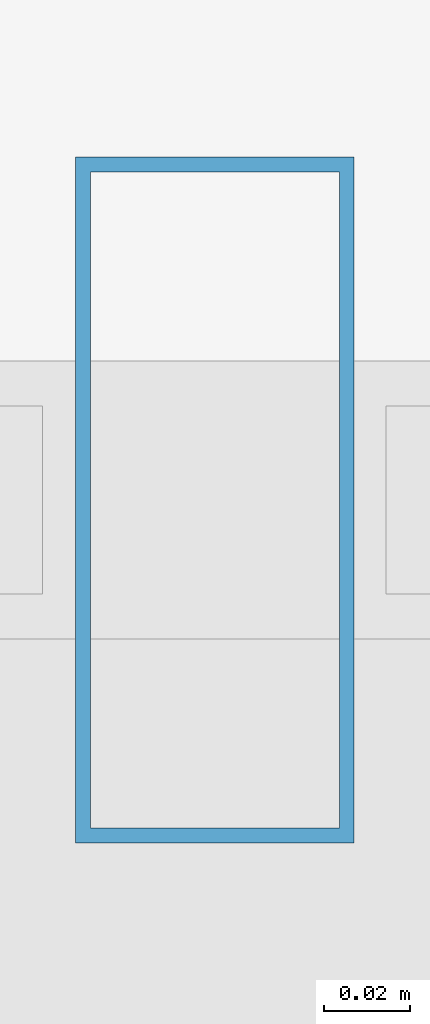
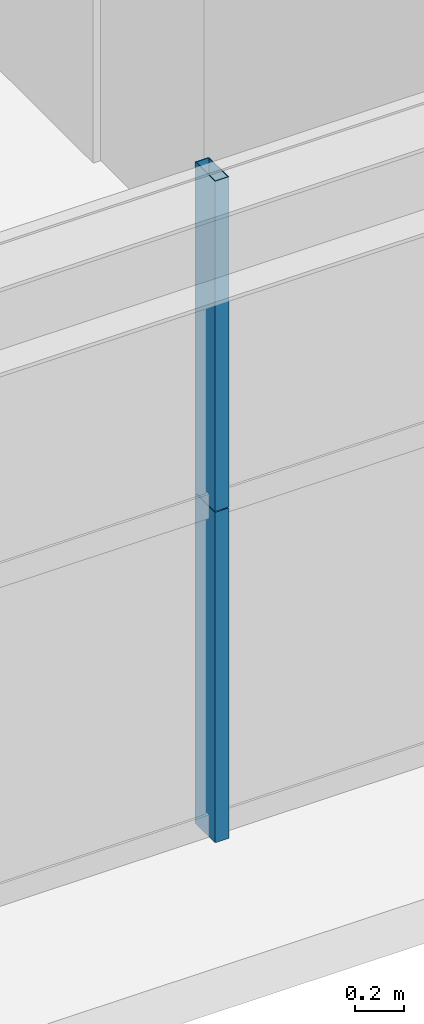
# One storey, part 6 of 45: 2 members, 1 element without a shape of its own.
"""IFC4 building model written with IfcOpenShell, lengths in metres."""

from ifc_helpers import new_model, si_unit, direction, frame, origin, origin_2d, place, context, subcontext, project, spatial, hollow_rectangle, extrude, source, transform, mapped, material, layer, layer_set, material_profile, profile_set, type_object, element, aggregate, save


model = new_model("IFC4")

# Units and contexts
model_context = context("Model", 3, precision=1e-05, world=origin(), true_north=direction((0.0, 1.0)))
body_context = subcontext(model_context, "Body", "Model", "MODEL_VIEW")
ifc_project = project(units=[si_unit("LENGTHUNIT", "METRE"), si_unit("AREAUNIT", "SQUARE_METRE"), si_unit("VOLUMEUNIT", "CUBIC_METRE"), si_unit("PLANEANGLEUNIT", "RADIAN"), si_unit("MASSUNIT", "GRAM", prefix="KILO"), si_unit("THERMODYNAMICTEMPERATUREUNIT", "KELVIN"), si_unit("POWERUNIT", "WATT")], contexts=[model_context])

# Site, building, storey
site_placement = place(None, origin())
site = spatial("IfcSite", under=ifc_project, at=site_placement, CompositionType="ELEMENT")
building_placement = place(site_placement, origin())
building = spatial("IfcBuilding", under=site, at=building_placement, Name="Yuzanri Waterfront Tower", CompositionType="ELEMENT")
storey_placement = place(building_placement, frame((0.0, 0.0, 198.5)))
storey = spatial("IfcBuildingStorey", under=building, at=storey_placement, Name="L52", CompositionType="ELEMENT", Elevation=198.5)

# Curtain wall, members
ifc_material_1 = material(Name="Anodized Architectural Bronze", Category="metal")
ifc_layer = layer(ifc_material_1, 0.159912109375)
ifc_layer_set = layer_set([ifc_layer], Name="Anodized Architectural Bronze")
curtain_wall_type = type_object("IfcCurtainWallType", Name="Anodized Bronze Mid-Rise Residential Acoustic Unitized Curtain Wall 7200", PredefinedType="NOTDEFINED", material=ifc_layer_set)
curtain_wall_placement = place(storey_placement, origin())
curtain_wall = element("IfcCurtainWall", 1, at=curtain_wall_placement, inside=storey, type_object=curtain_wall_type, Name="L52 Curtain Wall CW-L52-SL", PredefinedType="NOTDEFINED")
ifc_material_2 = material(Name="Anodized Architectural Bronze", Category="metal")
ifc_material_profile = material_profile(ifc_material_2, hollow_rectangle(XDim=0.06494140625, YDim=0.159912109375, WallThickness=0.00341796875, at=origin_2d()), Name="CWM 65x160")
ifc_profile_set = profile_set([ifc_material_profile], Name="Anodized Architectural Bronze")
member_type = type_object("IfcMemberType", Name="Anodized Bronze Upper-Zone Curtain-Wall Mullion 65x160", PredefinedType="MULLION", material=ifc_profile_set)
shared_shape = source(origin(), body_context, "Body", "SweptSolid", [
    extrude(hollow_rectangle(XDim=0.06494140625, YDim=0.159912109375, WallThickness=0.00341796875, at=origin_2d()), origin(), (0.0, 0.0, 1.0), 1.637939453125),
])
member_1_placement = place(storey_placement, frame((29.425048828125, 3.85009765625, 0.0), z_axis=(0.0, 0.0, 1.0), x_axis=(1.0, 0.0, 0.0)))
member_1 = element("IfcMember", 2, at=member_1_placement, type_object=member_type, Name="CW-L52-SL Lower Mullion 01", PredefinedType="MULLION", context=body_context, shape_type="MappedRepresentation", body=[
    mapped(shared_shape, transform((0.0, 0.0, 0.0), scale=1.0)),
])
member_2_placement = place(storey_placement, frame((29.425048828125, 3.85009765625, 1.64208984375), z_axis=(0.0, 0.0, 1.0), x_axis=(1.0, 0.0, 0.0)))
member_2 = element("IfcMember", 3, at=member_2_placement, type_object=member_type, Name="CW-L52-SL Upper Mullion 01", PredefinedType="MULLION", context=body_context, shape_type="MappedRepresentation", body=[
    mapped(shared_shape, transform((0.0, 0.0, 0.0), scale=1.0)),
])
aggregate(curtain_wall, [member_1, member_2])

save(model, "model.ifc")
